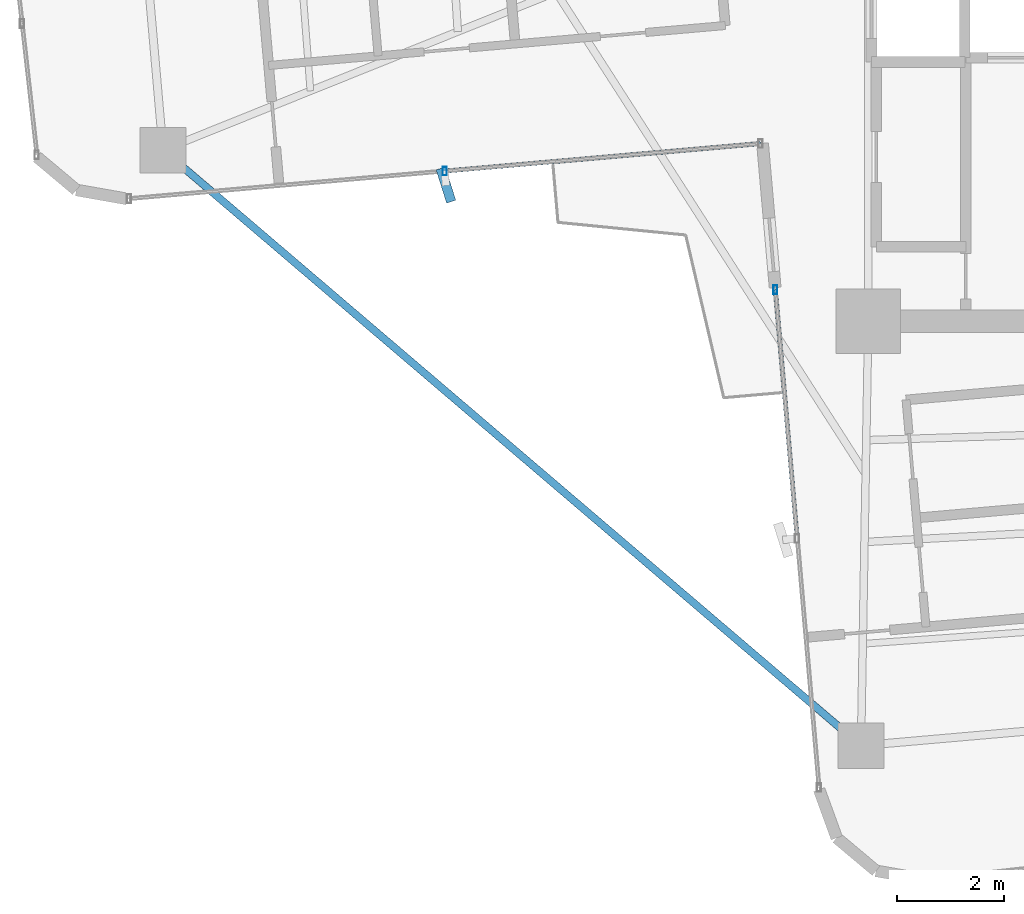
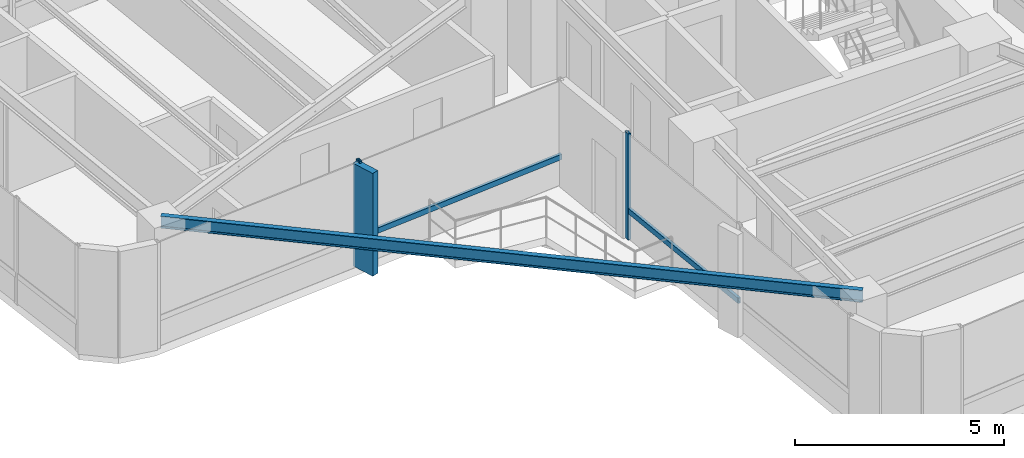
# One storey, part 4 of 24: 5 members, 1 beam, 2 elements without a shape of their own.
"""IFC4 building model written with IfcOpenShell, lengths in metres."""

from ifc_helpers import new_model, si_unit, direction, frame, origin, origin_2d, place, context, subcontext, project, spatial, rectangle, hollow_rectangle, i_section, extrude, source, transform, mapped, material, material_profile, profile_set, type_object, element, aggregate, save


model = new_model("IFC4")

# Units and contexts
model_context = context("Model", 3, precision=1e-05, world=origin(), true_north=direction((0.0, 1.0)))
body_context = subcontext(model_context, "Body", "Model", "MODEL_VIEW")
ifc_project = project(units=[si_unit("LENGTHUNIT", "METRE"), si_unit("AREAUNIT", "SQUARE_METRE"), si_unit("VOLUMEUNIT", "CUBIC_METRE"), si_unit("PLANEANGLEUNIT", "RADIAN"), si_unit("MASSUNIT", "GRAM", prefix="KILO")], contexts=[model_context])

# Site, building, storey
site_placement = place(None, origin())
site = spatial("IfcSite", under=ifc_project, at=site_placement, CompositionType="ELEMENT")
building_placement = place(site_placement, origin())
building = spatial("IfcBuilding", under=site, at=building_placement, Name="Sahyath Konkavel Grand Hotel", CompositionType="ELEMENT")
storey_placement = place(building_placement, frame((0.0, 0.0, 147.25)))
storey = spatial("IfcBuildingStorey", under=building, at=storey_placement, Name="L40", CompositionType="ELEMENT", Elevation=147.25)

# Beam
ifc_material_1 = material(Name="Steel E350", Category="steel")
ifc_material_profile_1 = material_profile(ifc_material_1, i_section(OverallWidth=0.139892578125, OverallDepth=0.35009765625, WebThickness=0.008056640625, FlangeThickness=0.01416015625, FilletRadius=0.013916015625, at=origin_2d()), Name="ISMB 350")
ifc_profile_set_1 = profile_set([ifc_material_profile_1], Name="Steel E350")
beam_type = type_object("IfcBeamType", Name="BM-ISMB350", PredefinedType="BEAM", material=ifc_profile_set_1)
shared_shape_1 = source(origin(), body_context, "Body", "SweptSolid", [
    extrude(i_section(OverallWidth=0.139892578125, OverallDepth=0.35009765625, WebThickness=0.008056640625, FlangeThickness=0.01416015625, FilletRadius=0.013916015625, at=origin_2d()), origin(), (0.0, 0.0, 1.0), 17.11279296875),
])
beam_placement = place(storey_placement, frame((-16.9541015625, -7.00439453125, 2.93505859375), z_axis=(0.760711911164, -0.649089661151, 0.0), x_axis=(0.649089661151, 0.760711911164, 0.0)))
element("IfcBeam", 1, at=beam_placement, inside=storey, type_object=beam_type, Name="L40 Re-Entrant Tie Beam SW", PredefinedType="BEAM", context=body_context, shape_type="MappedRepresentation", body=[
    mapped(shared_shape_1, transform((0.0, 0.0, 0.0), scale=1.0)),
])

# Curtain wall, members
ifc_material_2 = material(Name="Anodised Bronze Aluminium & Low-E Glazing", Category="aluminium")
curtain_wall_type = type_object("IfcCurtainWallType", Name="CW-ZONE3", PredefinedType="NOTDEFINED", material=ifc_material_2)
curtain_wall_1_placement = place(storey_placement, origin())
curtain_wall_1 = element("IfcCurtainWall", 2, at=curtain_wall_1_placement, inside=storey, type_object=curtain_wall_type, Name="L40 Unitised Curtain Wall F23", PredefinedType="NOTDEFINED")
ifc_material_3 = material(Name="Warm Buff Sandstone Cladding on Concrete C50/60", Category="masonry")
ifc_material_profile_2 = material_profile(ifc_material_3, rectangle(XDim=0.179931640625, YDim=0.64990234375, at=origin_2d()), Name="FIN 180x650")
ifc_profile_set_2 = profile_set([ifc_material_profile_2], Name="Warm Buff Sandstone Cladding on Concrete C50/60")
member_type_1 = type_object("IfcMemberType", Name="FIN-SANDSTONE-650", PredefinedType="MULLION", material=ifc_profile_set_2)
shared_shape_2 = source(origin(), body_context, "Body", "SweptSolid", [
    extrude(rectangle(XDim=0.179931640625, YDim=0.64990234375, at=origin_2d()), origin(), (0.0, 0.0, 1.0), 3.010009765625),
])
member_1_placement = place(storey_placement, frame((-11.677001953125, -7.656982421875, 0.050048828125), z_axis=(0.0, 0.0, 1.0), x_axis=(0.953716950748, 0.300705799504, 0.0)))
member_1 = element("IfcMember", 3, at=member_1_placement, type_object=member_type_1, Name="L40 Sandstone Vertical Solar Fin FIN F23-1", PredefinedType="MULLION", context=body_context, shape_type="MappedRepresentation", body=[
    mapped(shared_shape_2, transform((0.0, 0.0, 0.0), scale=1.0)),
])
ifc_material_4 = material(Name="Anodised Bronze Aluminium", Category="aluminium")
ifc_material_profile_3 = material_profile(ifc_material_4, hollow_rectangle(XDim=0.080078125, YDim=0.159912109375, WallThickness=0.006103515625, at=origin_2d()), Name="RHS 160x80x6")
ifc_profile_set_3 = profile_set([ifc_material_profile_3], Name="Anodised Bronze Aluminium")
member_type_2 = type_object("IfcMemberType", Name="CW-MUL-160", PredefinedType="MULLION", material=ifc_profile_set_3)
shared_shape_3 = source(origin(), body_context, "Body", "SweptSolid", [
    extrude(hollow_rectangle(XDim=0.080078125, YDim=0.159912109375, WallThickness=0.006103515625, at=origin_2d()), origin(), (0.0, 0.0, 1.0), 3.110107421875),
])
member_2_placement = place(storey_placement, frame((-11.69970703125, -7.39794921875, 0.0), z_axis=(0.0, 0.0, 1.0), x_axis=(1.0, 0.0, 0.0)))
member_2 = element("IfcMember", 4, at=member_2_placement, type_object=member_type_2, Name="L40 Curtain Wall Mullion F23-1", PredefinedType="MULLION", context=body_context, shape_type="MappedRepresentation", body=[
    mapped(shared_shape_3, transform((0.0, 0.0, 0.0), scale=1.0)),
])

# Curtain wall, member
curtain_wall_2_placement = place(storey_placement, origin())
curtain_wall_2 = element("IfcCurtainWall", 5, at=curtain_wall_2_placement, inside=storey, type_object=curtain_wall_type, Name="L40 Unitised Curtain Wall F24", PredefinedType="NOTDEFINED")
member_3_placement = place(storey_placement, frame((-5.53369140625, -9.60888671875, 0.0), z_axis=(0.0, 0.0, 1.0), x_axis=(1.0, 0.0, 0.0)))
member_3 = element("IfcMember", 6, at=member_3_placement, type_object=member_type_2, Name="L40 Curtain Wall Mullion F24-0", PredefinedType="MULLION", context=body_context, shape_type="MappedRepresentation", body=[
    mapped(shared_shape_3, transform((0.0, 0.0, 0.0), scale=1.0)),
])

# Member
ifc_material_profile_4 = material_profile(ifc_material_4, hollow_rectangle(XDim=0.080078125, YDim=0.159912109375, WallThickness=0.006103515625, at=origin_2d()), Name="RHS 160x80x6")
ifc_profile_set_4 = profile_set([ifc_material_profile_4], Name="Anodised Bronze Aluminium")
member_type_3 = type_object("IfcMemberType", Name="CW-TRN-160", PredefinedType="USERDEFINED", material=ifc_profile_set_4)
shared_shape_4 = source(origin(), body_context, "Body", "SweptSolid", [
    extrude(hollow_rectangle(XDim=0.080078125, YDim=0.159912109375, WallThickness=0.006103515625, at=origin_2d()), origin(), (0.0, 0.0, 1.0), 5.909912109375),
])
member_4_placement = place(storey_placement, frame((-11.69970703125, -7.39794921875, 0.85009765625), z_axis=(0.996193941691, 0.087164388014, 0.0), x_axis=(-0.087164388014, 0.996193941691, 0.0)))
member_4 = element("IfcMember", 7, at=member_4_placement, type_object=member_type_3, Name="L40 Curtain Wall Transom F23-1-spandrel", ObjectType="TRANSOM", PredefinedType="USERDEFINED", context=body_context, shape_type="MappedRepresentation", body=[
    mapped(shared_shape_4, transform((0.0, 0.0, 0.0), scale=1.0)),
])

aggregate(curtain_wall_1, [member_2, member_1, member_4])

shared_shape_5 = source(origin(), body_context, "Body", "SweptSolid", [
    extrude(hollow_rectangle(XDim=0.080078125, YDim=0.159912109375, WallThickness=0.006103515625, at=origin_2d()), origin(), (0.0, 0.0, 1.0), 4.66015625),
])
member_5_placement = place(storey_placement, frame((-5.53369140625, -9.60888671875, 0.85009765625), z_axis=(0.087176698736, -0.996192864458, 0.0), x_axis=(0.996192864458, 0.087176698736, 0.0)))
member_5 = element("IfcMember", 8, at=member_5_placement, type_object=member_type_3, Name="L40 Curtain Wall Transom F24-0-spandrel", ObjectType="TRANSOM", PredefinedType="USERDEFINED", context=body_context, shape_type="MappedRepresentation", body=[
    mapped(shared_shape_5, transform((0.0, 0.0, 0.0), scale=1.0)),
])

aggregate(curtain_wall_2, [member_3, member_5])

save(model, "model.ifc")
